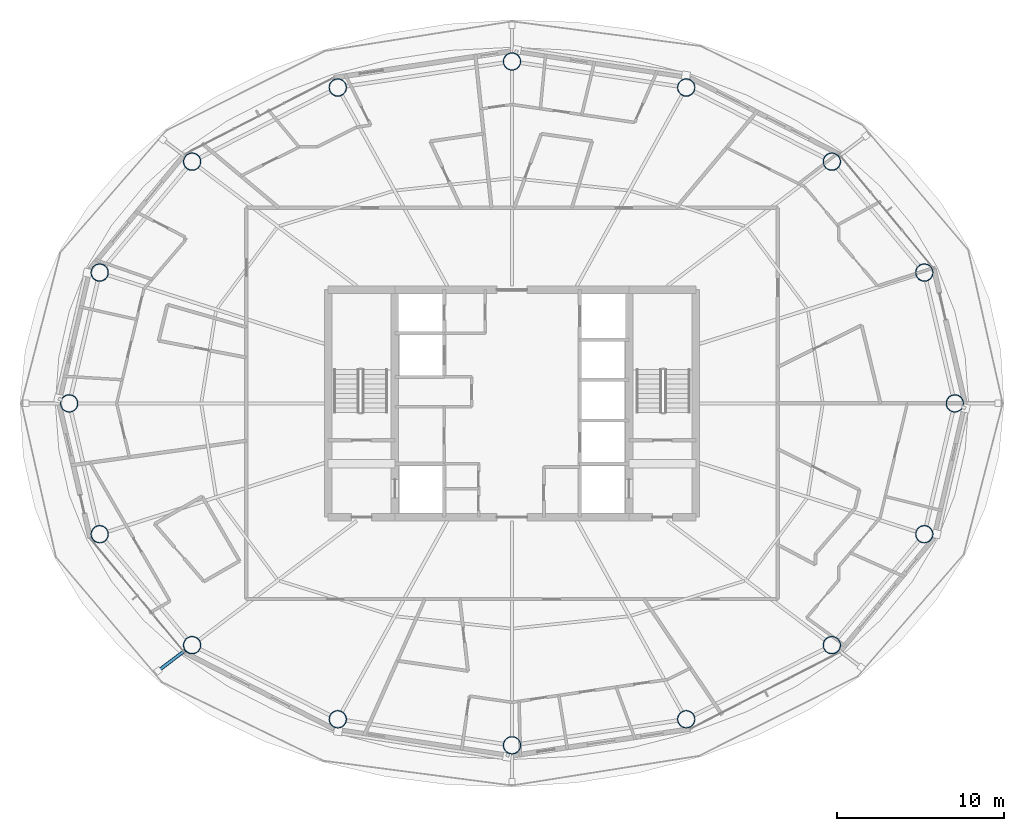
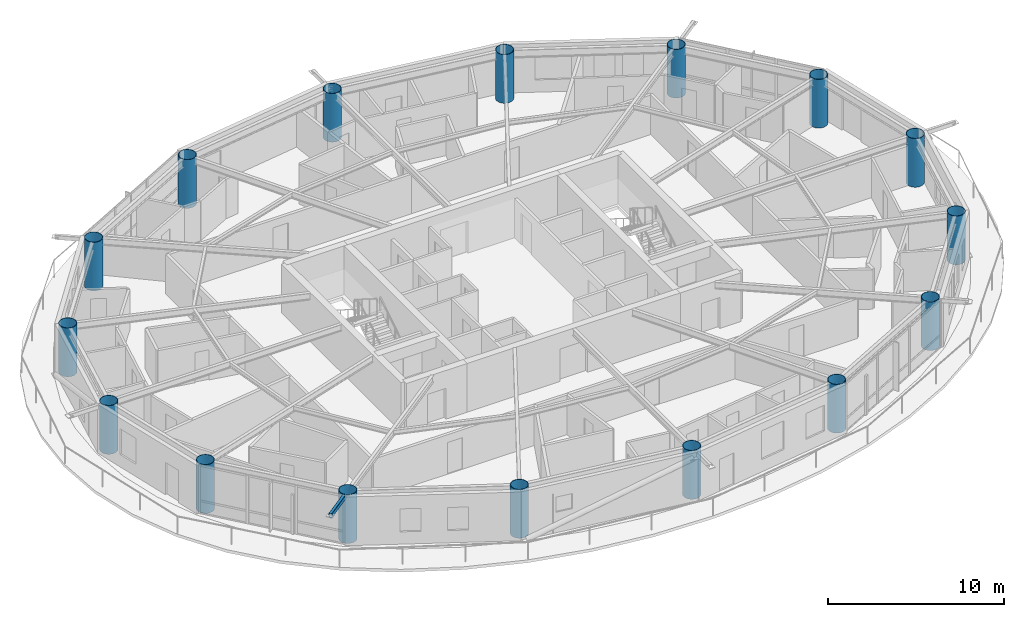
# One storey, part 1 of 29: 16 columns, 1 member.
"""IFC4 building model written with IfcOpenShell, lengths in metres."""

from ifc_helpers import new_model, si_unit, direction, frame, origin, origin_2d, place, context, subcontext, project, spatial, hollow_rectangle, hollow_circle, extrude, material, material_profile, profile_set, type_object, element, save


model = new_model("IFC4")

# Units and contexts
model_context = context("Model", 3, precision=1e-05, world=origin(), true_north=direction((0.0, 1.0)))
body_context = subcontext(model_context, "Body", "Model", "MODEL_VIEW")
ifc_project = project(units=[si_unit("LENGTHUNIT", "METRE"), si_unit("AREAUNIT", "SQUARE_METRE"), si_unit("VOLUMEUNIT", "CUBIC_METRE"), si_unit("PLANEANGLEUNIT", "RADIAN"), si_unit("MASSUNIT", "GRAM", prefix="KILO")], contexts=[model_context])

# Site, building, storey
site_placement = place(None, origin())
site = spatial("IfcSite", under=ifc_project, at=site_placement, CompositionType="ELEMENT")
building_placement = place(site_placement, origin())
building = spatial("IfcBuilding", under=site, at=building_placement, Name="Sarneth Arch Tower", CompositionType="ELEMENT")
storey_placement = place(building_placement, frame((0.0, 0.0, 175.800048828125)))
storey = spatial("IfcBuildingStorey", under=building, at=storey_placement, Name="L44", CompositionType="ELEMENT", Elevation=175.800048828125)

# Columns
ifc_material_1 = material(Name="Steel S355", Category="steel")
ifc_material_profile_1 = material_profile(ifc_material_1, hollow_circle(Radius=0.52490234375, WallThickness=0.028076171875, at=origin_2d()), Name="CHS1050x28")
ifc_profile_set_1 = profile_set([ifc_material_profile_1], Name="Steel S355")
column_type = type_object("IfcColumnType", Name="COL-MEGA-1050", PredefinedType="COLUMN", material=ifc_profile_set_1)
for number, where, z_axis, x_axis, name in (
    (1, (74.487060546875, 42.0, 0.0), (0.0, 0.0, 1.0), (1.0, 0.0, 0.0), "L44 Perimeter mega-column M01"),
    (2, (72.662109375, 49.825927734375, 0.0), (0.0, 0.0, 1.0), (1.0, 0.0, 0.0), "L44 Perimeter mega-column M02"),
    (3, (67.1337890625, 56.46044921875, 0.0), (0.0, 0.0, 1.0), (1.0, 0.0, 0.0), "L44 Perimeter mega-column M03"),
    (4, (58.421875, 60.893310546875, 0.0), (0.0, 0.0, 1.0), (1.0, 0.0, 0.0), "L44 Perimeter mega-column M04"),
    (5, (48.0, 62.449951171875, 0.0), (0.0, 0.0, 1.0), (1.0, 0.0, 0.0), "L44 Perimeter mega-column M05"),
    (6, (37.578125, 60.893310546875, 0.0), (0.0, 0.0, 1.0), (1.0, 0.0, 0.0), "L44 Perimeter mega-column M06"),
    (7, (28.8662109375, 56.46044921875, 0.0), (0.0, 0.0, 1.0), (1.0, 0.0, 0.0), "L44 Perimeter mega-column M07"),
    (8, (23.337890625, 49.825927734375, 0.0), (0.0, 0.0, 1.0), (1.0, 0.0, 0.0), "L44 Perimeter mega-column M08"),
    (9, (21.512939453125, 42.0, 0.0), (0.0, 0.0, 1.0), (1.0, 0.0, 0.0), "L44 Perimeter mega-column M09"),
    (10, (23.337890625, 34.174072265625, 0.0), (0.0, 0.0, 1.0), (1.0, 0.0, 0.0), "L44 Perimeter mega-column M10"),
    (11, (28.8662109375, 27.53955078125, 0.0), (0.0, 0.0, 1.0), (1.0, 0.0, 0.0), "L44 Perimeter mega-column M11"),
    (12, (37.578125, 23.106689453125, 0.0), (0.0, 0.0, 1.0), (1.0, 0.0, 0.0), "L44 Perimeter mega-column M12"),
    (13, (48.0, 21.550048828125, 0.0), (0.0, 0.0, 1.0), (1.0, 0.0, 0.0), "L44 Perimeter mega-column M13"),
    (14, (58.421875, 23.106689453125, 0.0), (0.0, 0.0, 1.0), (1.0, 0.0, 0.0), "L44 Perimeter mega-column M14"),
    (15, (67.1337890625, 27.53955078125, 0.0), (0.0, 0.0, 1.0), (1.0, 0.0, 0.0), "L44 Perimeter mega-column M15"),
    (16, (72.662109375, 34.174072265625, 0.0), (0.0, 0.0, 1.0), (1.0, 0.0, 0.0), "L44 Perimeter mega-column M16"),
):
    element("IfcColumn", number, at=place(storey_placement, frame(where, z_axis=z_axis, x_axis=x_axis)), inside=storey, type_object=column_type, Name=name, PredefinedType="COLUMN", context=body_context, shape_type="SweptSolid", body=[
        extrude(hollow_circle(Radius=0.52490234375, WallThickness=0.028076171875, at=origin_2d()), origin(), (0.0, 0.0, 1.0), 3.3798828125),
    ])

# Member
ifc_material_2 = material(Name="Steel S355", Category="steel")
ifc_material_profile_2 = material_profile(ifc_material_2, hollow_rectangle(XDim=0.199951171875, YDim=0.300048828125, WallThickness=0.012451171875, InnerFilletRadius=0.018798828125, OuterFilletRadius=0.03125, at=origin_2d()), Name="RHS300x200x12.5")
ifc_profile_set_2 = profile_set([ifc_material_profile_2], Name="Steel S355")
member_type = type_object("IfcMemberType", Name="MEM-CANT-STRUT", PredefinedType="STRUT", material=ifc_profile_set_2)
member_placement = place(storey_placement, frame((28.447265625, 27.22314453125, 3.219970703125), z_axis=(-0.797811956299, -0.602906362868, 0.0), x_axis=(0.602906362868, -0.797811956299, 0.0)))
element("IfcMember", 17, at=member_placement, inside=storey, type_object=member_type, Name="L44 Balcony cantilever bracket 11", PredefinedType="STRUT", context=body_context, shape_type="SweptSolid", body=[
    extrude(hollow_rectangle(XDim=0.199951171875, YDim=0.300048828125, WallThickness=0.012451171875, InnerFilletRadius=0.018798828125, OuterFilletRadius=0.03125, at=origin_2d()), origin(), (0.0, 0.0, 1.0), 2.026611328125),
])

save(model, "model.ifc")
